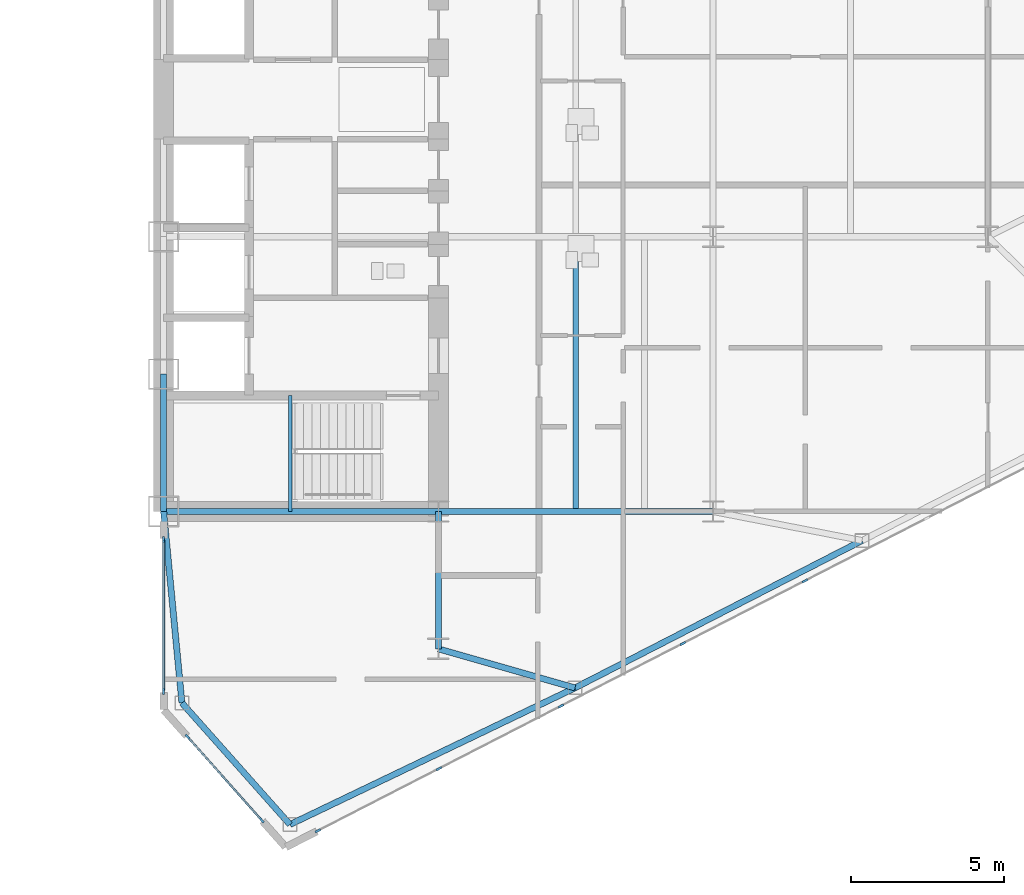
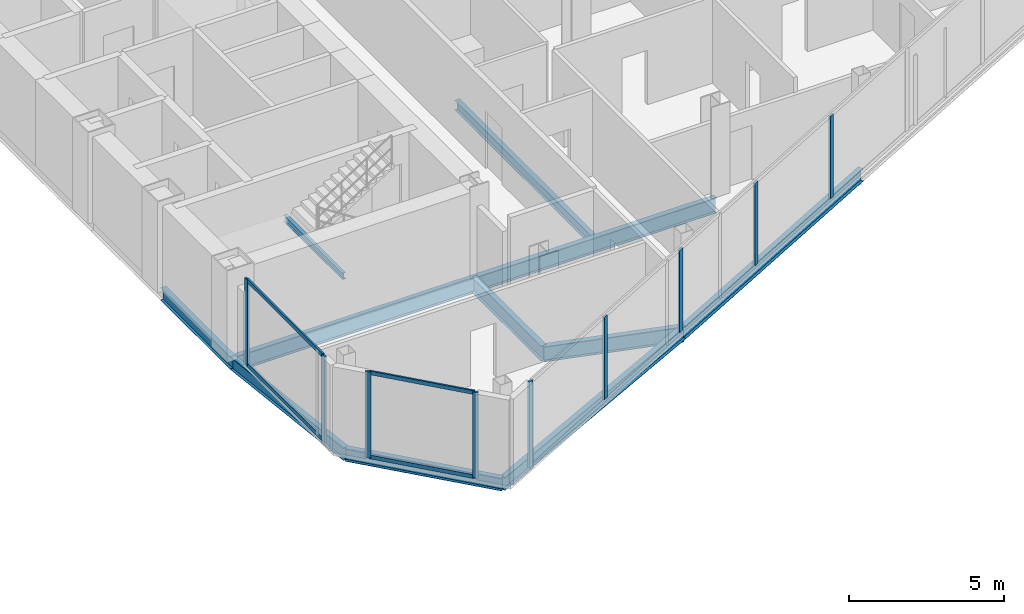
# One storey, part 8 of 24: 13 members, 11 beams, 3 elements without a shape of their own.
"""IFC4 building model written with IfcOpenShell, lengths in metres."""

from ifc_helpers import new_model, si_unit, direction, frame, origin, origin_2d, place, context, subcontext, project, spatial, rectangle, i_section, extrude, source, transform, mapped, material, layer, layer_set, material_profile, profile_set, type_object, type_shapes, element, aggregate, save


model = new_model("IFC4")

# Units and contexts
model_context = context("Model", 3, precision=1e-05, world=origin(), true_north=direction((0.0, 1.0)))
body_context = subcontext(model_context, "Body", "Model", "MODEL_VIEW")
ifc_project = project(units=[si_unit("LENGTHUNIT", "METRE"), si_unit("AREAUNIT", "SQUARE_METRE"), si_unit("VOLUMEUNIT", "CUBIC_METRE"), si_unit("PLANEANGLEUNIT", "RADIAN"), si_unit("MASSUNIT", "GRAM", prefix="KILO")], contexts=[model_context])

# Site, building, storey
site_placement = place(None, origin())
site = spatial("IfcSite", under=ifc_project, at=site_placement, CompositionType="ELEMENT")
building_placement = place(site_placement, origin())
building = spatial("IfcBuilding", under=site, at=building_placement, Name="Seokmaru Belvedere", CompositionType="ELEMENT")
storey_placement = place(building_placement, frame((0.0, 0.0, 124.800048828125)))
storey = spatial("IfcBuildingStorey", under=building, at=storey_placement, Name="L33", CompositionType="ELEMENT", Elevation=124.800048828125)

# Beams
ifc_material_1 = material(Name="Steel SM355 (355 MPa)", Category="steel")
ifc_material_profile_1 = material_profile(ifc_material_1, i_section(OverallWidth=0.199951171875, OverallDepth=0.5, WebThickness=0.010009765625, FlangeThickness=0.01611328125, at=origin_2d()), Name="H-500x200x10x16")
ifc_profile_set_1 = profile_set([ifc_material_profile_1], Name="Steel SM355 (355 MPa)")
beam_type_1 = type_object("IfcBeamType", Name="Perimeter Spandrel Beam H-500", PredefinedType="SPANDREL", material=ifc_profile_set_1)
shared_shape_1 = source(origin(), body_context, "Body", "SweptSolid", [
    extrude(i_section(OverallWidth=0.199951171875, OverallDepth=0.5, WebThickness=0.010009765625, FlangeThickness=0.01611328125, at=origin_2d()), origin(), (0.0, 0.0, 1.0), 4.5),
])
beam_1_placement = place(storey_placement, frame((27.5, -13.5, -0.469970703125), z_axis=(0.0, 1.0, 0.0), x_axis=(-1.0, 0.0, 0.0)))
element("IfcBeam", 1, at=beam_1_placement, inside=storey, type_object=beam_type_1, Name="L33 E Portal Spine Spandrel 1", PredefinedType="SPANDREL", context=body_context, shape_type="MappedRepresentation", body=[
    mapped(shared_shape_1, transform((0.0, 0.0, 0.0), scale=1.0)),
])
ifc_material_profile_2 = material_profile(ifc_material_1, i_section(OverallWidth=0.199951171875, OverallDepth=0.60009765625, WebThickness=0.010986328125, FlangeThickness=0.01708984375, at=origin_2d()), Name="H-600x200x11x17")
ifc_profile_set_2 = profile_set([ifc_material_profile_2], Name="Steel SM355 (355 MPa)")
beam_type_2 = type_object("IfcBeamType", Name="Primary Floor Girder H-600", PredefinedType="BEAM", material=ifc_profile_set_2)
shared_shape_2 = source(origin(), body_context, "Body", "SweptSolid", [
    extrude(i_section(OverallWidth=0.199951171875, OverallDepth=0.60009765625, WebThickness=0.010986328125, FlangeThickness=0.01708984375, at=origin_2d()), origin(), (0.0, 0.0, 1.0), 9.0),
])
for number, where, z_axis, x_axis, name in (
    (2, (27.5, -13.5, -0.52001953125), (1.0, 0.0, 0.0), (0.0, 1.0, 0.0), "L33 E Core Tie Girder 1"),
    (3, (36.5, -13.5, -0.52001953125), (1.0, 0.0, 0.0), (0.0, 1.0, 0.0), "L33 E Wing Primary Girder 1"),
):
    element("IfcBeam", number, at=place(storey_placement, frame(where, z_axis=z_axis, x_axis=x_axis)), inside=storey, type_object=beam_type_2, Name=name, PredefinedType="BEAM", context=body_context, shape_type="MappedRepresentation", body=[
        mapped(shared_shape_2, transform((0.0, 0.0, 0.0), scale=1.0)),
    ])
ifc_material_profile_3 = material_profile(ifc_material_1, i_section(OverallWidth=0.18505859375, OverallDepth=0.389892578125, WebThickness=0.008056640625, FlangeThickness=0.011962890625, at=origin_2d()), Name="H-390x185x8x12")
ifc_profile_set_3 = profile_set([ifc_material_profile_3], Name="Steel SM355 (355 MPa)")
beam_type_3 = type_object("IfcBeamType", Name="Secondary Floor Joist H-350", PredefinedType="JOIST", material=ifc_profile_set_3)
shared_shape_3 = source(origin(), body_context, "Body", "SweptSolid", [
    extrude(i_section(OverallWidth=0.18505859375, OverallDepth=0.389892578125, WebThickness=0.008056640625, FlangeThickness=0.011962890625, at=origin_2d()), origin(), (0.0, 0.0, 1.0), 8.7900390625),
])
type_shapes(beam_type_3, [shared_shape_3])
beam_2_placement = place(storey_placement, frame((41.0, -13.39501953125, -0.4150390625), z_axis=(0.0, 1.0, 0.0), x_axis=(-1.0, 0.0, 0.0)))
element("IfcBeam", 4, at=beam_2_placement, inside=storey, type_object=beam_type_3, Name="L33 E Secondary Floor Joist 1", PredefinedType="JOIST", context=body_context, shape_type="MappedRepresentation", body=[
    mapped(shared_shape_3, transform((0.0, 0.0, 0.0), scale=1.0)),
])
shared_shape_4 = source(origin(), body_context, "Body", "SweptSolid", [
    extrude(i_section(OverallWidth=0.199951171875, OverallDepth=0.60009765625, WebThickness=0.010986328125, FlangeThickness=0.01708984375, at=origin_2d()), origin(), (0.0, 0.0, 1.0), 4.5),
])
beam_3_placement = place(storey_placement, frame((36.5, -18.0, -0.52001953125), z_axis=(0.0, 1.0, 0.0), x_axis=(-1.0, 0.0, 0.0)))
element("IfcBeam", 5, at=beam_3_placement, inside=storey, type_object=beam_type_2, Name="L33 E Core Shoulder Girder S", PredefinedType="BEAM", context=body_context, shape_type="MappedRepresentation", body=[
    mapped(shared_shape_4, transform((0.0, 0.0, 0.0), scale=1.0)),
])
shared_shape_5 = source(origin(), body_context, "Body", "SweptSolid", [
    extrude(i_section(OverallWidth=0.199951171875, OverallDepth=0.5, WebThickness=0.010009765625, FlangeThickness=0.01611328125, at=origin_2d()), origin(), (0.0, 0.0, 1.0), 10.353759765625),
])
beam_4_placement = place(storey_placement, frame((31.6396484375, -23.75390625, -0.469970703125), z_axis=(0.901713202822, 0.432334708134, 0.0), x_axis=(-0.432334708134, 0.901713202822, 0.0)))
element("IfcBeam", 6, at=beam_4_placement, inside=storey, type_object=beam_type_1, Name="L33 E Faceted Flank Spandrel S-1", PredefinedType="SPANDREL", context=body_context, shape_type="MappedRepresentation", body=[
    mapped(shared_shape_5, transform((0.0, 0.0, 0.0), scale=1.0)),
])
shared_shape_6 = source(origin(), body_context, "Body", "SweptSolid", [
    extrude(i_section(OverallWidth=0.199951171875, OverallDepth=0.5, WebThickness=0.010009765625, FlangeThickness=0.01611328125, at=origin_2d()), origin(), (0.0, 0.0, 1.0), 10.56689453125),
])
beam_5_placement = place(storey_placement, frame((40.975830078125, -19.277587890625, -0.469970703125), z_axis=(0.889701972758, 0.45654178305, 0.0), x_axis=(-0.45654178305, 0.889701972758, 0.0)))
element("IfcBeam", 7, at=beam_5_placement, inside=storey, type_object=beam_type_1, Name="L33 E Faceted Flank Spandrel S-2", PredefinedType="SPANDREL", context=body_context, shape_type="MappedRepresentation", body=[
    mapped(shared_shape_6, transform((0.0, 0.0, 0.0), scale=1.0)),
])
shared_shape_7 = source(origin(), body_context, "Body", "SweptSolid", [
    extrude(i_section(OverallWidth=0.199951171875, OverallDepth=0.5, WebThickness=0.010009765625, FlangeThickness=0.01611328125, at=origin_2d()), origin(), (0.0, 0.0, 1.0), 5.32763671875),
])
beam_6_placement = place(storey_placement, frame((31.6396484375, -23.75390625, -0.469970703125), z_axis=(-0.66436952742, 0.74740426212, 0.0), x_axis=(-0.74740426212, -0.66436952742, 0.0)))
element("IfcBeam", 8, at=beam_6_placement, inside=storey, type_object=beam_type_1, Name="L33 E Shoulder Chamfer Spandrel S", PredefinedType="SPANDREL", context=body_context, shape_type="MappedRepresentation", body=[
    mapped(shared_shape_7, transform((0.0, 0.0, 0.0), scale=1.0)),
])
shared_shape_8 = source(origin(), body_context, "Body", "SweptSolid", [
    extrude(i_section(OverallWidth=0.199951171875, OverallDepth=0.5, WebThickness=0.010009765625, FlangeThickness=0.01611328125, at=origin_2d()), origin(), (0.0, 0.0, 1.0), 6.300537109375),
])
type_shapes(beam_type_1, [shared_shape_1, shared_shape_5, shared_shape_6, shared_shape_7, shared_shape_8])
beam_7_placement = place(storey_placement, frame((28.10009765625, -19.77197265625, -0.469970703125), z_axis=(-0.095244287992, 0.995453929424, 0.0), x_axis=(-0.995453929424, -0.095244287992, 0.0)))
element("IfcBeam", 9, at=beam_7_placement, inside=storey, type_object=beam_type_1, Name="L33 E Shoulder Spine Spandrel S", PredefinedType="SPANDREL", context=body_context, shape_type="MappedRepresentation", body=[
    mapped(shared_shape_8, transform((0.0, 0.0, 0.0), scale=1.0)),
])
shared_shape_9 = source(origin(), body_context, "Body", "SweptSolid", [
    extrude(i_section(OverallWidth=0.199951171875, OverallDepth=0.60009765625, WebThickness=0.010986328125, FlangeThickness=0.01708984375, at=origin_2d()), origin(), (0.0, 0.0, 1.0), 4.654541015625),
])
type_shapes(beam_type_2, [shared_shape_2, shared_shape_4, shared_shape_9])
beam_8_placement = place(storey_placement, frame((40.975830078125, -19.277587890625, -0.52001953125), z_axis=(-0.961593192625, 0.274478654721, 0.0), x_axis=(-0.274478654721, -0.961593192625, 0.0)))
element("IfcBeam", 10, at=beam_8_placement, inside=storey, type_object=beam_type_2, Name="L33 E Flank Radial Floor Girder S-1", PredefinedType="BEAM", context=body_context, shape_type="MappedRepresentation", body=[
    mapped(shared_shape_9, transform((0.0, 0.0, 0.0), scale=1.0)),
])

# Curtain wall, member
ifc_material_2 = material(Name="Bronze Triple Insulating Glass", Category="glass")
ifc_layer = layer(ifc_material_2, 0.195068359375)
ifc_layer_set = layer_set([ifc_layer], Name="Bronze Triple Insulating Glass")
curtain_wall_type = type_object("IfcCurtainWallType", Name="Sky-Lobby and Mid-Rise Curtain Wall System CW-4", PredefinedType="NOTDEFINED", material=ifc_layer_set)
curtain_wall_1_placement = place(storey_placement, origin())
curtain_wall_1 = element("IfcCurtainWall", 11, at=curtain_wall_1_placement, inside=storey, type_object=curtain_wall_type, Name="L33 Curtain Wall EF1", PredefinedType="NOTDEFINED")
ifc_material_3 = material(Name="Anodised Bronze Aluminium", Category="aluminium")
ifc_material_profile_4 = material_profile(ifc_material_3, rectangle(XDim=0.070068359375, YDim=0.195068359375, at=origin_2d()), Name="CW-M-70x195")
ifc_profile_set_4 = profile_set([ifc_material_profile_4], Name="Anodised Bronze Aluminium")
member_type_1 = type_object("IfcMemberType", Name="Bronze Unitised Mullion 70x195", PredefinedType="MULLION", material=ifc_profile_set_4)
shared_shape_10 = source(origin(), body_context, "Body", "SweptSolid", [
    extrude(rectangle(XDim=0.070068359375, YDim=0.195068359375, at=origin_2d()), origin(), (0.0, 0.0, 1.0), 3.3798828125),
])
member_1_placement = place(storey_placement, frame((32.55419921875, -23.958984375, 0.0), z_axis=(0.0, 0.0, 1.0), x_axis=(-0.456554528263, 0.889695432562, 0.0)))
member_1 = element("IfcMember", 12, at=member_1_placement, type_object=member_type_1, Name="CW:L33:EF1 Mullion 1", PredefinedType="MULLION", context=body_context, shape_type="MappedRepresentation", body=[
    mapped(shared_shape_10, transform((0.0, 0.0, 0.0), scale=1.0)),
])

# Curtain wall, members
curtain_wall_2_placement = place(storey_placement, origin())
curtain_wall_2 = element("IfcCurtainWall", 13, at=curtain_wall_2_placement, inside=storey, type_object=curtain_wall_type, Name="L33 Curtain Wall ESP_1", PredefinedType="NOTDEFINED")
member_2_placement = place(storey_placement, frame((27.5, -14.4150390625, 0.0), z_axis=(0.0, 0.0, 1.0), x_axis=(1.0, 0.0, 0.0)))
member_2 = element("IfcMember", 14, at=member_2_placement, type_object=member_type_1, Name="CW:L33:ESP_1 Mullion 1", PredefinedType="MULLION", context=body_context, shape_type="MappedRepresentation", body=[
    mapped(shared_shape_10, transform((0.0, 0.0, 0.0), scale=1.0)),
])
member_3_placement = place(storey_placement, frame((27.5, -19.39501953125, 0.0), z_axis=(0.0, 0.0, 1.0), x_axis=(1.0, 0.0, 0.0)))
member_3 = element("IfcMember", 15, at=member_3_placement, type_object=member_type_1, Name="CW:L33:ESP_1 Mullion 2", PredefinedType="MULLION", context=body_context, shape_type="MappedRepresentation", body=[
    mapped(shared_shape_10, transform((0.0, 0.0, 0.0), scale=1.0)),
])

curtain_wall_3_placement = place(storey_placement, origin())
curtain_wall_3 = element("IfcCurtainWall", 16, at=curtain_wall_3_placement, inside=storey, type_object=curtain_wall_type, Name="L33 Curtain Wall EF6", PredefinedType="NOTDEFINED")
member_4_placement = place(storey_placement, frame((28.287353515625, -20.8857421875, 0.0), z_axis=(0.0, 0.0, 1.0), x_axis=(0.747409774804, 0.664363325694, 0.0)))
member_4 = element("IfcMember", 17, at=member_4_placement, type_object=member_type_1, Name="CW:L33:EF6 Mullion 1", PredefinedType="MULLION", context=body_context, shape_type="MappedRepresentation", body=[
    mapped(shared_shape_10, transform((0.0, 0.0, 0.0), scale=1.0)),
])
member_5_placement = place(storey_placement, frame((30.712646484375, -23.6142578125, 0.0), z_axis=(0.0, 0.0, 1.0), x_axis=(0.747409774804, 0.664363325694, 0.0)))
member_5 = element("IfcMember", 18, at=member_5_placement, type_object=member_type_1, Name="CW:L33:EF6 Mullion 2", PredefinedType="MULLION", context=body_context, shape_type="MappedRepresentation", body=[
    mapped(shared_shape_10, transform((0.0, 0.0, 0.0), scale=1.0)),
])

# Member
ifc_material_profile_5 = material_profile(ifc_material_3, rectangle(XDim=0.06494140625, YDim=0.14990234375, at=origin_2d()), Name="CW-T-65x150")
ifc_profile_set_5 = profile_set([ifc_material_profile_5], Name="Anodised Bronze Aluminium")
member_type_2 = type_object("IfcMemberType", Name="Bronze Unitised Transom 65x150", PredefinedType="USERDEFINED", material=ifc_profile_set_5)
shared_shape_11 = source(origin(), body_context, "Body", "SweptSolid", [
    extrude(rectangle(XDim=0.06494140625, YDim=0.14990234375, at=origin_2d()), origin(), (0.0, 0.0, 1.0), 4.91015625),
])
member_6_placement = place(storey_placement, frame((27.5, -14.449951171875, 0.032470703125), z_axis=(0.0, -1.0, 0.0), x_axis=(1.0, 0.0, 0.0)))
member_6 = element("IfcMember", 19, at=member_6_placement, type_object=member_type_2, Name="CW:L33:ESP_1 Continuous Transom 1", ObjectType="TRANSOM", PredefinedType="USERDEFINED", context=body_context, shape_type="MappedRepresentation", body=[
    mapped(shared_shape_11, transform((0.0, 0.0, 0.0), scale=1.0)),
])

member_7_placement = place(storey_placement, frame((27.5, -14.449951171875, 3.347412109375), z_axis=(0.0, -1.0, 0.0), x_axis=(1.0, 0.0, 0.0)))
member_7 = element("IfcMember", 20, at=member_7_placement, type_object=member_type_2, Name="CW:L33:ESP_1 Continuous Transom 2", ObjectType="TRANSOM", PredefinedType="USERDEFINED", context=body_context, shape_type="MappedRepresentation", body=[
    mapped(shared_shape_11, transform((0.0, 0.0, 0.0), scale=1.0)),
])

aggregate(curtain_wall_2, [member_2, member_3, member_6, member_7])

shared_shape_12 = source(origin(), body_context, "Body", "SweptSolid", [
    extrude(rectangle(XDim=0.06494140625, YDim=0.14990234375, at=origin_2d()), origin(), (0.0, 0.0, 1.0), 3.580810546875),
])
type_shapes(member_type_2, [shared_shape_11, shared_shape_12])
member_8_placement = place(storey_placement, frame((28.310546875, -20.911865234375, 0.032470703125), z_axis=(0.66436383883, -0.747409318684, 0.0), x_axis=(0.747409318684, 0.66436383883, 0.0)))
member_8 = element("IfcMember", 21, at=member_8_placement, type_object=member_type_2, Name="CW:L33:EF6 Continuous Transom 1", ObjectType="TRANSOM", PredefinedType="USERDEFINED", context=body_context, shape_type="MappedRepresentation", body=[
    mapped(shared_shape_12, transform((0.0, 0.0, 0.0), scale=1.0)),
])

member_9_placement = place(storey_placement, frame((28.310546875, -20.911865234375, 3.347412109375), z_axis=(0.66436383883, -0.747409318684, 0.0), x_axis=(0.747409318684, 0.66436383883, 0.0)))
member_9 = element("IfcMember", 22, at=member_9_placement, type_object=member_type_2, Name="CW:L33:EF6 Continuous Transom 2", ObjectType="TRANSOM", PredefinedType="USERDEFINED", context=body_context, shape_type="MappedRepresentation", body=[
    mapped(shared_shape_12, transform((0.0, 0.0, 0.0), scale=1.0)),
])

aggregate(curtain_wall_3, [member_4, member_5, member_8, member_9])

shared_shape_13 = source(origin(), body_context, "Body", "SweptSolid", [
    extrude(rectangle(XDim=0.070068359375, YDim=0.195068359375, at=origin_2d()), origin(), (0.0, 0.0, 1.0), 3.25),
])
type_shapes(member_type_1, [shared_shape_10, shared_shape_13])
member_10_placement = place(storey_placement, frame((36.51806640625, -21.925048828125, 0.06494140625), z_axis=(0.0, 0.0, 1.0), x_axis=(-0.456554528263, 0.889695432562, 0.0)))
member_10 = element("IfcMember", 23, at=member_10_placement, type_object=member_type_1, Name="CW:L33:EF1 Mullion 2", PredefinedType="MULLION", context=body_context, shape_type="MappedRepresentation", body=[
    mapped(shared_shape_13, transform((0.0, 0.0, 0.0), scale=1.0)),
])

member_11_placement = place(storey_placement, frame((40.5126953125, -19.875, 0.06494140625), z_axis=(0.0, 0.0, 1.0), x_axis=(-0.456554528263, 0.889695432562, 0.0)))
member_11 = element("IfcMember", 24, at=member_11_placement, type_object=member_type_1, Name="CW:L33:EF1 Mullion 3", PredefinedType="MULLION", context=body_context, shape_type="MappedRepresentation", body=[
    mapped(shared_shape_13, transform((0.0, 0.0, 0.0), scale=1.0)),
])

member_12_placement = place(storey_placement, frame((44.5078125, -17.824951171875, 0.06494140625), z_axis=(0.0, 0.0, 1.0), x_axis=(-0.456554528263, 0.889695432562, 0.0)))
member_12 = element("IfcMember", 25, at=member_12_placement, type_object=member_type_1, Name="CW:L33:EF1 Mullion 4", PredefinedType="MULLION", context=body_context, shape_type="MappedRepresentation", body=[
    mapped(shared_shape_13, transform((0.0, 0.0, 0.0), scale=1.0)),
])

member_13_placement = place(storey_placement, frame((48.502685546875, -15.77490234375, 0.06494140625), z_axis=(0.0, 0.0, 1.0), x_axis=(-0.456554528263, 0.889695432562, 0.0)))
member_13 = element("IfcMember", 26, at=member_13_placement, type_object=member_type_1, Name="CW:L33:EF1 Mullion 5", PredefinedType="MULLION", context=body_context, shape_type="MappedRepresentation", body=[
    mapped(shared_shape_13, transform((0.0, 0.0, 0.0), scale=1.0)),
])

aggregate(curtain_wall_1, [member_1, member_10, member_11, member_12, member_13])

# Beam
ifc_material_profile_6 = material_profile(ifc_material_1, i_section(OverallWidth=0.125, OverallDepth=0.25, WebThickness=0.006103515625, FlangeThickness=0.009033203125, at=origin_2d()), Name="H-250x125x6x9")
ifc_profile_set_6 = profile_set([ifc_material_profile_6], Name="Steel SM355 (355 MPa)")
beam_type_4 = type_object("IfcBeamType", Name="Stair Mid-Landing Support Beam H-250", PredefinedType="JOIST", material=ifc_profile_set_6)
shared_shape_14 = source(origin(), body_context, "Body", "SweptSolid", [
    extrude(i_section(OverallWidth=0.125, OverallDepth=0.25, WebThickness=0.006103515625, FlangeThickness=0.009033203125, at=origin_2d()), origin(), (0.0, 0.0, 1.0), 3.800048828125),
])
type_shapes(beam_type_4, [shared_shape_14])
beam_9_placement = place(storey_placement, frame((31.64990234375, -13.5, 1.474853515625), z_axis=(0.0, 1.0, 0.0), x_axis=(-1.0, 0.0, 0.0)))
element("IfcBeam", 27, at=beam_9_placement, inside=storey, type_object=beam_type_4, Name="L33 Stair ST-E1 Mid-Landing Support Beam 1", PredefinedType="JOIST", context=body_context, shape_type="MappedRepresentation", body=[
    mapped(shared_shape_14, transform((0.0, 0.0, 0.0), scale=1.0)),
])

save(model, "model.ifc")
